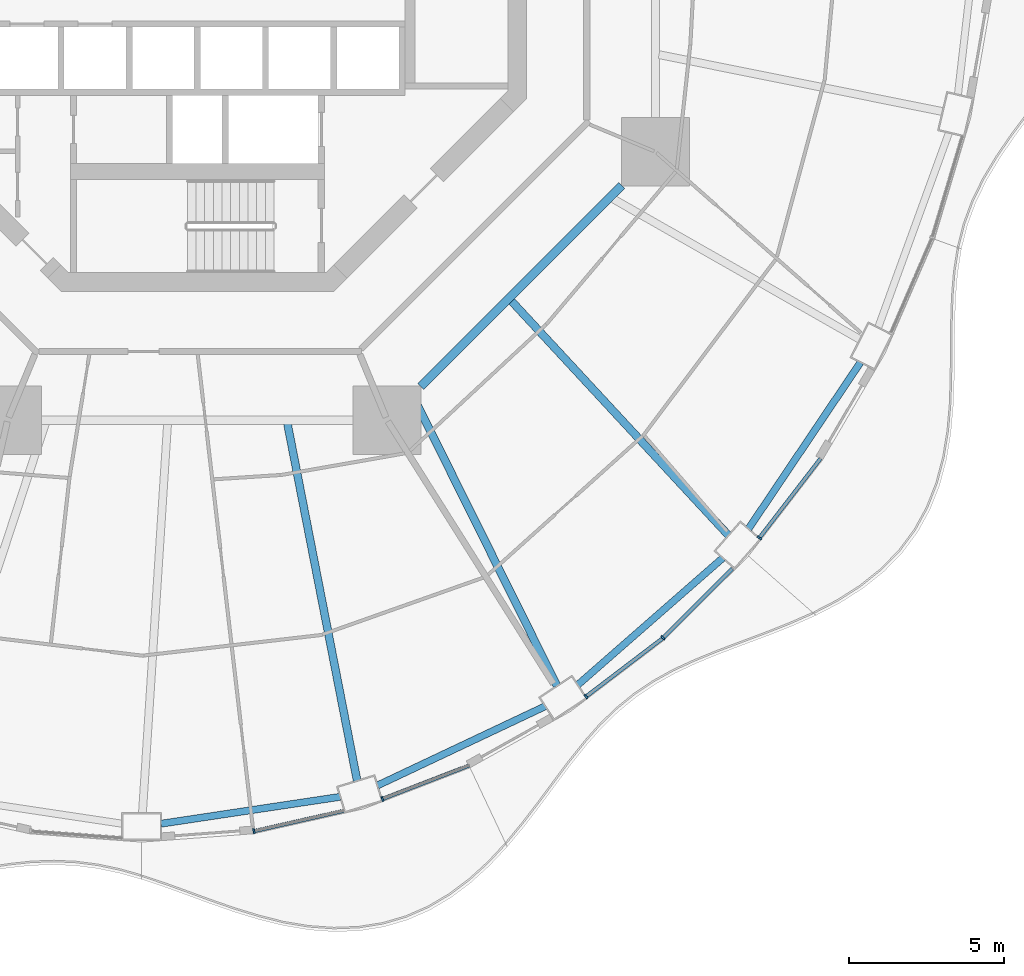
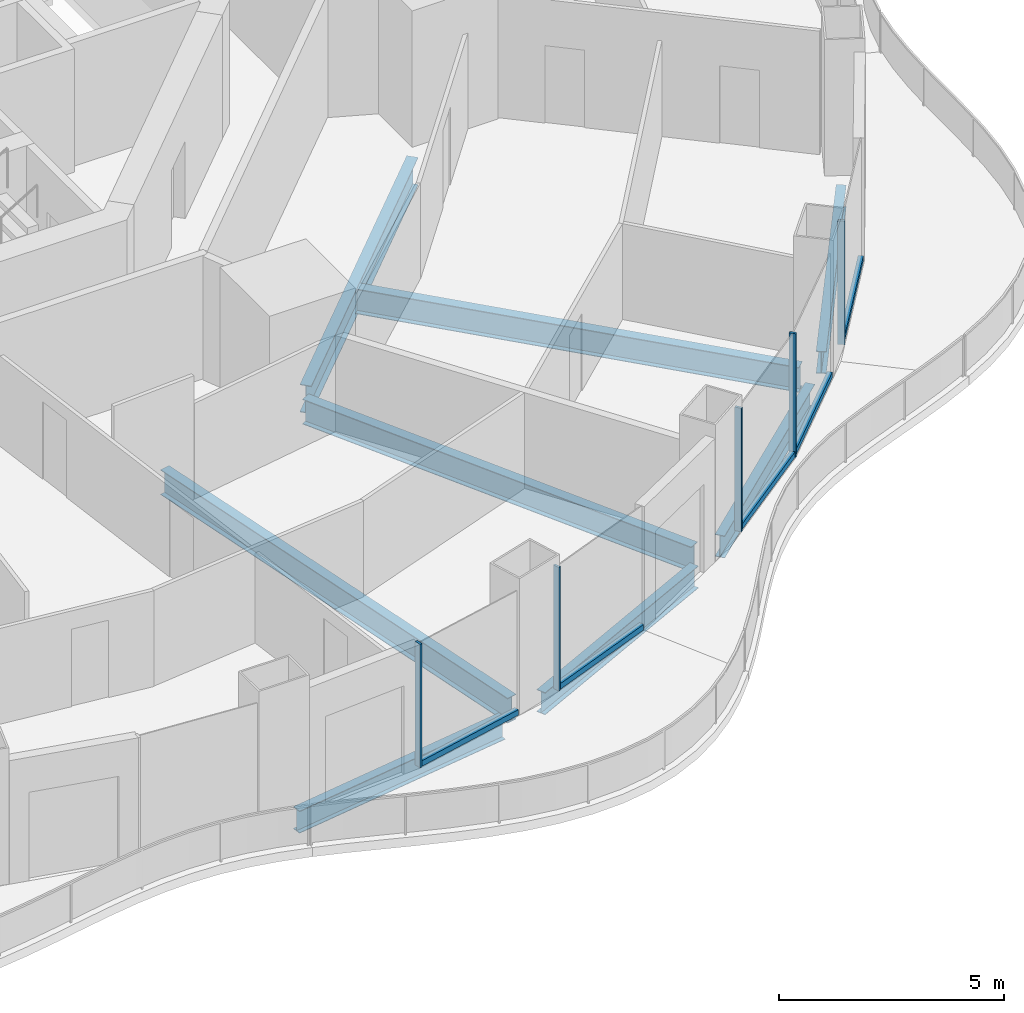
# One storey, part 5 of 23: 10 members, 8 beams, 5 elements without a shape of their own.
"""IFC4 building model written with IfcOpenShell, lengths in metres."""

from ifc_helpers import new_model, si_unit, direction, frame, origin, origin_2d, place, context, subcontext, project, spatial, rectangle, i_section, extrude, material, layer, layer_set, material_profile, profile_set, type_object, element, aggregate, save


model = new_model("IFC4")

# Units and contexts
model_context = context("Model", 3, precision=1e-05, world=origin(), true_north=direction((0.0, 1.0)))
body_context = subcontext(model_context, "Body", "Model", "MODEL_VIEW")
ifc_project = project(units=[si_unit("LENGTHUNIT", "METRE"), si_unit("AREAUNIT", "SQUARE_METRE"), si_unit("VOLUMEUNIT", "CUBIC_METRE"), si_unit("PLANEANGLEUNIT", "RADIAN"), si_unit("MASSUNIT", "GRAM", prefix="KILO")], contexts=[model_context])

# Site, building, storey
site_placement = place(None, origin())
site = spatial("IfcSite", under=ifc_project, at=site_placement, CompositionType="ELEMENT")
building_placement = place(site_placement, origin())
building = spatial("IfcBuilding", under=site, at=building_placement, Name="Nagisa Residences", CompositionType="ELEMENT")
storey_placement = place(building_placement, frame((0.0, 0.0, 110.300048828125)))
storey = spatial("IfcBuildingStorey", under=building, at=storey_placement, Name="L27", CompositionType="ELEMENT", Elevation=110.300048828125)

# Curtain wall, member
ifc_material_1 = material(Name="Concrete-coloured aluminium curtain wall system", Category="concrete")
ifc_layer = layer(ifc_material_1, 0.159912109375)
ifc_layer_set = layer_set([ifc_layer], Name="CW1 CURTAIN WALL")
curtain_wall_type = type_object("IfcCurtainWallType", Name="CW1 CURTAIN WALL", PredefinedType="NOTDEFINED", material=ifc_layer_set)
curtain_wall_1_placement = place(storey_placement, origin())
curtain_wall_1 = element("IfcCurtainWall", 1, at=curtain_wall_1_placement, inside=storey, type_object=curtain_wall_type, Name="cw:CW1:L27:37", PredefinedType="NOTDEFINED")
ifc_material_2 = material(Name="Concrete-coloured aluminium", Category="concrete")
ifc_material_profile_1 = material_profile(ifc_material_2, rectangle(XDim=0.159912109375, YDim=0.06005859375, at=origin_2d()), Name="CW1 MULLION 160x60")
ifc_profile_set_1 = profile_set([ifc_material_profile_1], Name="Concrete-coloured aluminium")
member_type_1 = type_object("IfcMemberType", Name="CW1 MULLION 160x60", PredefinedType="MULLION", material=ifc_profile_set_1)
member_1_placement = place(storey_placement, frame((1.826416015625, -28.04296875, 0.0), z_axis=(0.0, 0.0, 1.0), x_axis=(-0.2207639201, 0.975327274089, 0.0)))
member_1 = element("IfcMember", 2, at=member_1_placement, type_object=member_type_1, Name="CW1 mullion", PredefinedType="MULLION", context=body_context, shape_type="SweptSolid", body=[
    extrude(rectangle(XDim=0.159912109375, YDim=0.06005859375, at=origin_2d()), origin(), (0.0, 0.0, 1.0), 3.349853515625),
])

curtain_wall_2_placement = place(storey_placement, origin())
curtain_wall_2 = element("IfcCurtainWall", 3, at=curtain_wall_2_placement, inside=storey, type_object=curtain_wall_type, Name="cw:CW1:L27:38", PredefinedType="NOTDEFINED")
member_2_placement = place(storey_placement, frame((5.973388671875, -27.00390625, 0.0), z_axis=(0.0, 0.0, 1.0), x_axis=(-0.360327770268, 0.932825759707, 0.0)))
member_2 = element("IfcMember", 4, at=member_2_placement, type_object=member_type_1, Name="CW1 mullion", PredefinedType="MULLION", context=body_context, shape_type="SweptSolid", body=[
    extrude(rectangle(XDim=0.159912109375, YDim=0.06005859375, at=origin_2d()), origin(), (0.0, 0.0, 1.0), 3.349853515625),
])

curtain_wall_3_placement = place(storey_placement, origin())
curtain_wall_3 = element("IfcCurtainWall", 5, at=curtain_wall_3_placement, inside=storey, type_object=curtain_wall_type, Name="cw:CW1:L27:40", PredefinedType="NOTDEFINED")
member_3_placement = place(storey_placement, frame((12.540283203125, -23.699951171875, 0.0), z_axis=(0.0, 0.0, 1.0), x_axis=(-0.605255421737, 0.79603132756, 0.0)))
member_3 = element("IfcMember", 6, at=member_3_placement, type_object=member_type_1, Name="CW1 mullion", PredefinedType="MULLION", context=body_context, shape_type="SweptSolid", body=[
    extrude(rectangle(XDim=0.159912109375, YDim=0.06005859375, at=origin_2d()), origin(), (0.0, 0.0, 1.0), 3.349853515625),
])

curtain_wall_4_placement = place(storey_placement, origin())
curtain_wall_4 = element("IfcCurtainWall", 7, at=curtain_wall_4_placement, inside=storey, type_object=curtain_wall_type, Name="cw:CW1:L27:41", PredefinedType="NOTDEFINED")
member_4_placement = place(storey_placement, frame((15.0244140625, -21.80712890625, 0.0), z_axis=(0.0, 0.0, 1.0), x_axis=(-0.706376885714, 0.707835924016, 0.0)))
member_4 = element("IfcMember", 8, at=member_4_placement, type_object=member_type_1, Name="CW1 mullion", PredefinedType="MULLION", context=body_context, shape_type="SweptSolid", body=[
    extrude(rectangle(XDim=0.159912109375, YDim=0.06005859375, at=origin_2d()), origin(), (0.0, 0.0, 1.0), 3.349853515625),
])

curtain_wall_5_placement = place(storey_placement, origin())
curtain_wall_5 = element("IfcCurtainWall", 9, at=curtain_wall_5_placement, inside=storey, type_object=curtain_wall_type, Name="cw:CW1:L27:42", PredefinedType="NOTDEFINED")
member_5_placement = place(storey_placement, frame((18.135009765625, -18.579345703125, 0.0), z_axis=(0.0, 0.0, 1.0), x_axis=(-0.792070340816, 0.610429828235, 0.0)))
member_5 = element("IfcMember", 10, at=member_5_placement, type_object=member_type_1, Name="CW1 mullion", PredefinedType="MULLION", context=body_context, shape_type="SweptSolid", body=[
    extrude(rectangle(XDim=0.159912109375, YDim=0.06005859375, at=origin_2d()), origin(), (0.0, 0.0, 1.0), 3.349853515625),
])

# Member
ifc_material_3 = material(Name="Concrete-coloured aluminium", Category="concrete")
ifc_material_profile_2 = material_profile(ifc_material_3, rectangle(XDim=0.1201171875, YDim=0.14990234375, at=origin_2d()), Name="CW1 TRANSOM 120x150")
ifc_profile_set_2 = profile_set([ifc_material_profile_2], Name="Concrete-coloured aluminium")
member_type_2 = type_object("IfcMemberType", Name="CW1 TRANSOM 120x150", PredefinedType="USERDEFINED", material=ifc_profile_set_2)
member_6_placement = place(storey_placement, frame((1.79736328125, -28.049560546875, 0.074951171875), z_axis=(0.975331196789, 0.220746589036, 0.0), x_axis=(-0.220746589036, 0.975331196789, 0.0)))
member_6 = element("IfcMember", 11, at=member_6_placement, type_object=member_type_2, Name="CW1 transom", ObjectType="TRANSOM", PredefinedType="USERDEFINED", context=body_context, shape_type="SweptSolid", body=[
    extrude(rectangle(XDim=0.1201171875, YDim=0.14990234375, at=origin_2d()), origin(), (0.0, 0.0, 1.0), 2.99267578125),
])

aggregate(curtain_wall_1, [member_1, member_6])

member_7_placement = place(storey_placement, frame((5.945556640625, -27.0146484375, 0.074951171875), z_axis=(0.932827091302, 0.360324322982, 0.0), x_axis=(-0.360324322982, 0.932827091302, 0.0)))
member_7 = element("IfcMember", 12, at=member_7_placement, type_object=member_type_2, Name="CW1 transom", ObjectType="TRANSOM", PredefinedType="USERDEFINED", context=body_context, shape_type="SweptSolid", body=[
    extrude(rectangle(XDim=0.1201171875, YDim=0.14990234375, at=origin_2d()), origin(), (0.0, 0.0, 1.0), 3.02734375),
])

aggregate(curtain_wall_2, [member_2, member_7])

member_8_placement = place(storey_placement, frame((12.5166015625, -23.718017578125, 0.074951171875), z_axis=(0.796000041424, 0.605296567025, 0.0), x_axis=(-0.605296567025, 0.796000041424, 0.0)))
member_8 = element("IfcMember", 13, at=member_8_placement, type_object=member_type_2, Name="CW1 transom", ObjectType="TRANSOM", PredefinedType="USERDEFINED", context=body_context, shape_type="SweptSolid", body=[
    extrude(rectangle(XDim=0.1201171875, YDim=0.14990234375, at=origin_2d()), origin(), (0.0, 0.0, 1.0), 3.134033203125),
])

aggregate(curtain_wall_3, [member_3, member_8])

member_9_placement = place(storey_placement, frame((15.003173828125, -21.828125, 0.074951171875), z_axis=(0.707831724839, 0.70638109354, 0.0), x_axis=(-0.70638109354, 0.707831724839, 0.0)))
member_9 = element("IfcMember", 14, at=member_9_placement, type_object=member_type_2, Name="CW1 transom", ObjectType="TRANSOM", PredefinedType="USERDEFINED", context=body_context, shape_type="SweptSolid", body=[
    extrude(rectangle(XDim=0.1201171875, YDim=0.14990234375, at=origin_2d()), origin(), (0.0, 0.0, 1.0), 3.19775390625),
])

aggregate(curtain_wall_4, [member_4, member_9])

member_10_placement = place(storey_placement, frame((18.11669921875, -18.60302734375, 0.074951171875), z_axis=(0.610458970322, 0.792047880847, 0.0), x_axis=(-0.792047880847, 0.610458970322, 0.0)))
member_10 = element("IfcMember", 15, at=member_10_placement, type_object=member_type_2, Name="CW1 transom", ObjectType="TRANSOM", PredefinedType="USERDEFINED", context=body_context, shape_type="SweptSolid", body=[
    extrude(rectangle(XDim=0.1201171875, YDim=0.14990234375, at=origin_2d()), origin(), (0.0, 0.0, 1.0), 3.262939453125),
])

aggregate(curtain_wall_5, [member_5, member_10])

# Beams
ifc_material_4 = material(Name="Steel ASTM A572 Gr 50", Category="steel")
ifc_material_profile_3 = material_profile(ifc_material_4, i_section(OverallWidth=0.264892578125, OverallDepth=0.7529296875, WebThickness=0.01318359375, FlangeThickness=0.01708984375, at=origin_2d()), Name="W760x147")
ifc_profile_set_3 = profile_set([ifc_material_profile_3], Name="Steel ASTM A572 Gr 50")
beam_type_1 = type_object("IfcBeamType", Name="Inner ring beam W760x147", PredefinedType="BEAM", material=ifc_profile_set_3)
beam_1_placement = place(storey_placement, frame((7.208740234375, -13.6962890625, -0.636474609375), z_axis=(0.707106781187, 0.707106781187, 0.0), x_axis=(-0.707106781187, 0.707106781187, 0.0)))
element("IfcBeam", 16, at=beam_1_placement, inside=storey, type_object=beam_type_1, Name="beam:L27:ib7", PredefinedType="BEAM", context=body_context, shape_type="SweptSolid", body=[
    extrude(i_section(OverallWidth=0.264892578125, OverallDepth=0.7529296875, WebThickness=0.01318359375, FlangeThickness=0.01708984375, at=origin_2d()), origin(), (0.0, 0.0, 1.0), 9.1748046875),
])
ifc_material_5 = material(Name="Steel ASTM A572 Gr 50", Category="steel")
ifc_material_profile_4 = material_profile(ifc_material_5, i_section(OverallWidth=0.22802734375, OverallDepth=0.60302734375, WebThickness=0.010498046875, FlangeThickness=0.014892578125, at=origin_2d()), Name="W610x101")
ifc_profile_set_4 = profile_set([ifc_material_profile_4], Name="Steel ASTM A572 Gr 50")
beam_type_2 = type_object("IfcBeamType", Name="Perimeter ring beam W610x101", PredefinedType="BEAM", material=ifc_profile_set_4)
beam_2_placement = place(storey_placement, frame((-1.169677734375, -27.802734375, -0.5615234375), z_axis=(0.988913048607, 0.148495731568, 0.0), x_axis=(-0.148495731568, 0.988913048607, 0.0)))
element("IfcBeam", 17, at=beam_2_placement, inside=storey, type_object=beam_type_2, Name="beam:L27:pb19", PredefinedType="BEAM", context=body_context, shape_type="SweptSolid", body=[
    extrude(i_section(OverallWidth=0.22802734375, OverallDepth=0.60302734375, WebThickness=0.010498046875, FlangeThickness=0.014892578125, at=origin_2d()), origin(), (0.0, 0.0, 1.0), 5.843017578125),
])
beam_3_placement = place(storey_placement, frame((5.814453125, -26.568359375, -0.5615234375), z_axis=(0.904196975776, 0.427115709144, 0.0), x_axis=(-0.427115709144, 0.904196975776, 0.0)))
element("IfcBeam", 18, at=beam_3_placement, inside=storey, type_object=beam_type_2, Name="beam:L27:pb20", PredefinedType="BEAM", context=body_context, shape_type="SweptSolid", body=[
    extrude(i_section(OverallWidth=0.22802734375, OverallDepth=0.60302734375, WebThickness=0.010498046875, FlangeThickness=0.014892578125, at=origin_2d()), origin(), (0.0, 0.0, 1.0), 5.980712890625),
])
beam_4_placement = place(storey_placement, frame((12.2763671875, -23.322998046875, -0.5615234375), z_axis=(0.752525569707, 0.658563031863, 0.0), x_axis=(-0.658563031863, 0.752525569707, 0.0)))
element("IfcBeam", 19, at=beam_4_placement, inside=storey, type_object=beam_type_2, Name="beam:L27:pb21", PredefinedType="BEAM", context=body_context, shape_type="SweptSolid", body=[
    extrude(i_section(OverallWidth=0.22802734375, OverallDepth=0.60302734375, WebThickness=0.010498046875, FlangeThickness=0.014892578125, at=origin_2d()), origin(), (0.0, 0.0, 1.0), 6.21240234375),
])
beam_5_placement = place(storey_placement, frame((17.784423828125, -18.2861328125, -0.5615234375), z_axis=(0.558229575935, 0.829686531499, 0.0), x_axis=(-0.829686531499, 0.558229575935, 0.0)))
element("IfcBeam", 20, at=beam_5_placement, inside=storey, type_object=beam_type_2, Name="beam:L27:pb22", PredefinedType="BEAM", context=body_context, shape_type="SweptSolid", body=[
    extrude(i_section(OverallWidth=0.22802734375, OverallDepth=0.60302734375, WebThickness=0.010498046875, FlangeThickness=0.014892578125, at=origin_2d()), origin(), (0.0, 0.0, 1.0), 6.471923828125),
])
ifc_material_6 = material(Name="Steel ASTM A572 Gr 50", Category="steel")
ifc_material_profile_5 = material_profile(ifc_material_6, i_section(OverallWidth=0.2529296875, OverallDepth=0.677978515625, WebThickness=0.01171875, FlangeThickness=0.016357421875, at=origin_2d()), Name="W690x125")
ifc_profile_set_5 = profile_set([ifc_material_profile_5], Name="Steel ASTM A572 Gr 50")
beam_type_3 = type_object("IfcBeamType", Name="Radial beam W690x125", PredefinedType="BEAM", material=ifc_profile_set_5)
beam_6_placement = place(storey_placement, frame((5.15576171875, -26.416015625, -0.59912109375), z_axis=(-0.191554340045, 0.981482009417, 0.0), x_axis=(-0.981482009417, -0.191554340045, 0.0)))
element("IfcBeam", 21, at=beam_6_placement, inside=storey, type_object=beam_type_3, Name="beam:L27:rb20", PredefinedType="BEAM", context=body_context, shape_type="SweptSolid", body=[
    extrude(i_section(OverallWidth=0.2529296875, OverallDepth=0.677978515625, WebThickness=0.01171875, FlangeThickness=0.016357421875, at=origin_2d()), origin(), (0.0, 0.0, 1.0), 11.73828125),
])
beam_7_placement = place(storey_placement, frame((11.604736328125, -23.35400390625, -0.59912109375), z_axis=(-0.444988448889, 0.895536308787, 0.0), x_axis=(-0.895536308787, -0.444988448889, 0.0)))
element("IfcBeam", 22, at=beam_7_placement, inside=storey, type_object=beam_type_3, Name="beam:L27:rb21", PredefinedType="BEAM", context=body_context, shape_type="SweptSolid", body=[
    extrude(i_section(OverallWidth=0.2529296875, OverallDepth=0.677978515625, WebThickness=0.01171875, FlangeThickness=0.016357421875, at=origin_2d()), origin(), (0.0, 0.0, 1.0), 10.364013671875),
])
beam_8_placement = place(storey_placement, frame((17.135986328125, -18.49609375, -0.59912109375), z_axis=(-0.67961674612, 0.733567364591, 0.0), x_axis=(-0.733567364591, -0.67961674612, 0.0)))
element("IfcBeam", 23, at=beam_8_placement, inside=storey, type_object=beam_type_3, Name="beam:L27:rb22", PredefinedType="BEAM", context=body_context, shape_type="SweptSolid", body=[
    extrude(i_section(OverallWidth=0.2529296875, OverallDepth=0.677978515625, WebThickness=0.01171875, FlangeThickness=0.016357421875, at=origin_2d()), origin(), (0.0, 0.0, 1.0), 10.30859375),
])

save(model, "model.ifc")
